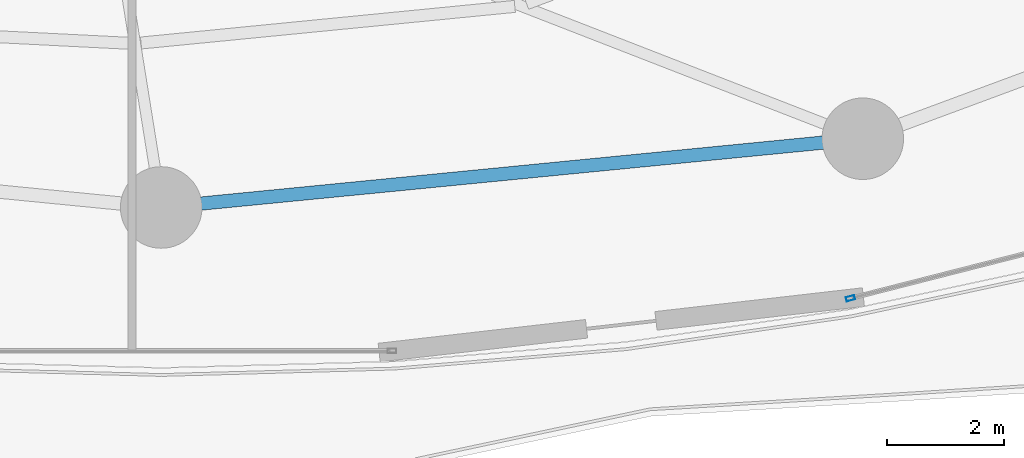
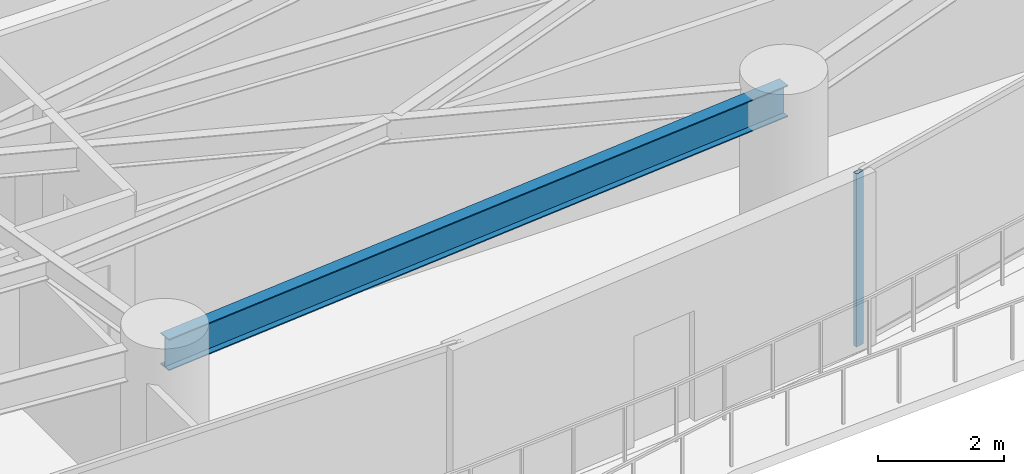
# One storey, part 11 of 32: 1 beam, 1 member, 1 element without a shape of its own.
"""IFC4 building model written with IfcOpenShell, lengths in metres."""

from ifc_helpers import new_model, si_unit, direction, frame, origin, origin_2d, place, context, subcontext, project, spatial, hollow_rectangle, i_section, extrude, material, layer, layer_set, material_profile, profile_set, type_object, element, aggregate, save


model = new_model("IFC4")

# Units and contexts
model_context = context("Model", 3, precision=1e-05, world=origin(), true_north=direction((0.0, 1.0)))
body_context = subcontext(model_context, "Body", "Model", "MODEL_VIEW")
ifc_project = project(units=[si_unit("LENGTHUNIT", "METRE"), si_unit("AREAUNIT", "SQUARE_METRE"), si_unit("VOLUMEUNIT", "CUBIC_METRE"), si_unit("PLANEANGLEUNIT", "RADIAN"), si_unit("MASSUNIT", "GRAM", prefix="KILO")], contexts=[model_context])

# Site, building, storey
site_placement = place(None, origin())
site = spatial("IfcSite", under=ifc_project, at=site_placement, CompositionType="ELEMENT")
building_placement = place(site_placement, origin())
building = spatial("IfcBuilding", under=site, at=building_placement, Name="Kazevale Care Tower and Concert Hall", CompositionType="ELEMENT")
storey_placement = place(building_placement, frame((0.0, 0.0, 38.39990234375)))
storey = spatial("IfcBuildingStorey", under=building, at=storey_placement, Name="L09", CompositionType="ELEMENT", Elevation=38.39990234375)

# Curtain wall, member
ifc_material_1 = material(Name="Aluminium 6063-T6 and Low-E Glass", Category="aluminium")
ifc_layer = layer(ifc_material_1, 0.179931640625)
ifc_layer_set = layer_set([ifc_layer], Name="Aluminium 6063-T6 and Low-E Glass")
curtain_wall_type = type_object("IfcCurtainWallType", Name="Sheltered Concave Balcony Curtain Wall CW-5", PredefinedType="NOTDEFINED", material=ifc_layer_set)
curtain_wall_placement = place(storey_placement, origin())
curtain_wall = element("IfcCurtainWall", 1, at=curtain_wall_placement, inside=storey, type_object=curtain_wall_type, Name="cw:L09:f04", PredefinedType="NOTDEFINED")
ifc_material_2 = material(Name="Aluminium 6063-T6", Category="aluminium")
ifc_material_profile_1 = material_profile(ifc_material_2, hollow_rectangle(XDim=0.074951171875, YDim=0.14990234375, WallThickness=0.00390625, at=origin_2d()), Name="ALU75x150x4")
ifc_profile_set_1 = profile_set([ifc_material_profile_1], Name="Aluminium 6063-T6")
member_type = type_object("IfcMemberType", Name="CW-5 Mullion ALU75x150x4", PredefinedType="MULLION", material=ifc_profile_set_1)
member_placement = place(storey_placement, frame((56.828369140625, 15.791259765625, 0.0), z_axis=(0.0, 0.0, 1.0), x_axis=(0.247221864936, -0.968958899798, 0.0)))
member = element("IfcMember", 2, at=member_placement, type_object=member_type, Name="CW-5 mullion 2", PredefinedType="MULLION", context=body_context, shape_type="SweptSolid", body=[
    extrude(hollow_rectangle(XDim=0.074951171875, YDim=0.14990234375, WallThickness=0.00390625, at=origin_2d()), origin(), (0.0, 0.0, 1.0), 3.360107421875),
])
aggregate(curtain_wall, [member])

# Beam
ifc_material_3 = material(Name="Steel ASTM A572 Gr 50", Category="steel")
ifc_material_profile_2 = material_profile(ifc_material_3, i_section(OverallWidth=0.22900390625, OverallDepth=0.612060546875, WebThickness=0.011962890625, FlangeThickness=0.01953125, at=origin_2d()), Name="W610x125")
ifc_profile_set_2 = profile_set([ifc_material_profile_2], Name="Steel ASTM A572 Gr 50")
beam_type = type_object("IfcBeamType", Name="Ring Spandrel Beam W610x125", PredefinedType="SPANDREL", material=ifc_profile_set_2)
beam_placement = place(storey_placement, frame((45.0, 17.35009765625, 3.05419921875), z_axis=(0.995232251602, 0.09753340644, 0.0), x_axis=(-0.09753340644, 0.995232251602, 0.0)))
element("IfcBeam", 3, at=beam_placement, inside=storey, type_object=beam_type, Name="beam:L09:ring:13", PredefinedType="SPANDREL", context=body_context, shape_type="SweptSolid", body=[
    extrude(i_section(OverallWidth=0.22900390625, OverallDepth=0.612060546875, WebThickness=0.011962890625, FlangeThickness=0.01953125, at=origin_2d()), origin(), (0.0, 0.0, 1.0), 12.09765625),
])

save(model, "model.ifc")
